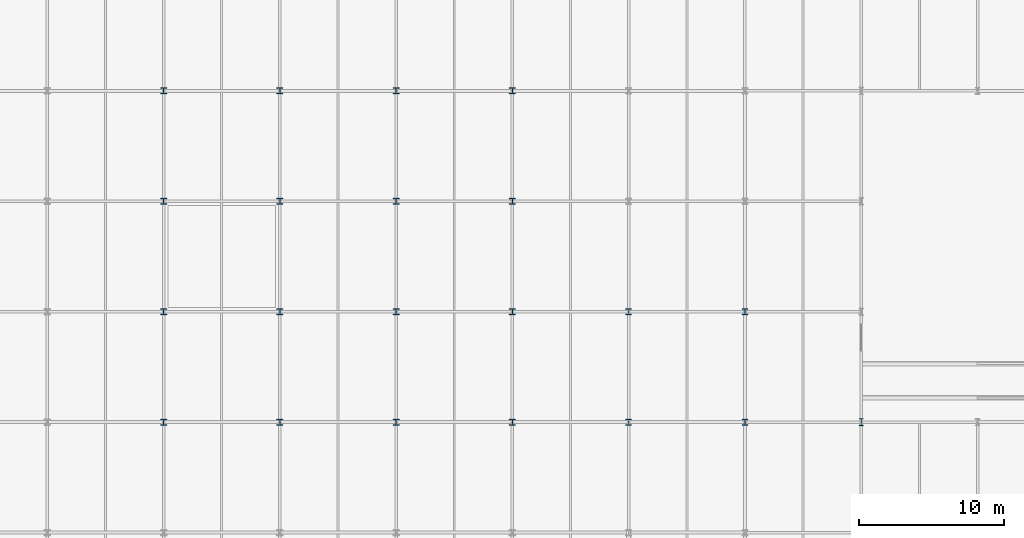
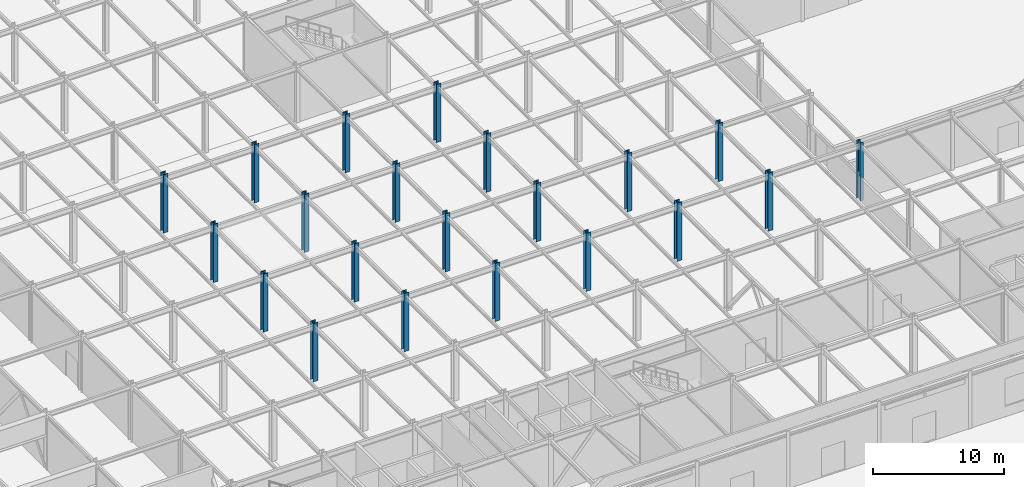
# One storey, part 7 of 89: 21 columns.
"""IFC4 building model written with IfcOpenShell, lengths in metres."""

from ifc_helpers import new_model, si_unit, direction, frame, origin, origin_2d, place, context, subcontext, project, spatial, i_section, extrude, material, material_profile, profile_set, type_object, element, save


model = new_model("IFC4")

# Units and contexts
model_context = context("Model", 3, precision=1e-05, world=origin(), true_north=direction((0.0, 1.0)))
body_context = subcontext(model_context, "Body", "Model", "MODEL_VIEW")
ifc_project = project(units=[si_unit("LENGTHUNIT", "METRE"), si_unit("AREAUNIT", "SQUARE_METRE"), si_unit("VOLUMEUNIT", "CUBIC_METRE"), si_unit("PLANEANGLEUNIT", "RADIAN"), si_unit("MASSUNIT", "GRAM", prefix="KILO")], contexts=[model_context])

# Site, building, storey
site_placement = place(None, origin())
site = spatial("IfcSite", under=ifc_project, at=site_placement, CompositionType="ELEMENT")
building_placement = place(site_placement, origin())
building = spatial("IfcBuilding", under=site, at=building_placement, Name="Shalkamar Park Central Library", CompositionType="ELEMENT")
storey_placement = place(building_placement, origin())
storey = spatial("IfcBuildingStorey", under=building, at=storey_placement, Name="L01", CompositionType="ELEMENT", Elevation=0.0)

# Columns
ifc_material = material(Name="Steel S355", Category="steel")
ifc_material_profile_1 = material_profile(ifc_material, i_section(OverallWidth=0.412109375, OverallDepth=0.43505859375, WebThickness=0.035888671875, FlangeThickness=0.057373046875, FilletRadius=0.014892578125, at=origin_2d()), Name="HD 400x463")
ifc_profile_set_1 = profile_set([ifc_material_profile_1], Name="Steel S355")
column_type_1 = type_object("IfcColumnType", Name="Column Steel HD400x463", PredefinedType="COLUMN", material=ifc_profile_set_1)
for number, where, z_axis, x_axis, name in (
    (1, (181.0, 270.39990234375, 0.0), (0.0, 0.0, 1.0), (1.0, 0.0, 0.0), "Column 09/E (L01)"),
    (2, (181.0, 278.0, 0.0), (0.0, 0.0, 1.0), (1.0, 0.0, 0.0), "Column 09/F (L01)"),
    (3, (181.0, 285.60009765625, 0.0), (0.0, 0.0, 1.0), (1.0, 0.0, 0.0), "Column 09/G (L01)"),
    (4, (181.0, 293.199951171875, 0.0), (0.0, 0.0, 1.0), (1.0, 0.0, 0.0), "Column 09/H (L01)"),
    (5, (189.0, 270.39990234375, 0.0), (0.0, 0.0, 1.0), (1.0, 0.0, 0.0), "Column 10/E (L01)"),
    (6, (189.0, 278.0, 0.0), (0.0, 0.0, 1.0), (1.0, 0.0, 0.0), "Column 10/F (L01)"),
    (7, (189.0, 285.60009765625, 0.0), (0.0, 0.0, 1.0), (1.0, 0.0, 0.0), "Column 10/G (L01)"),
    (8, (189.0, 293.199951171875, 0.0), (0.0, 0.0, 1.0), (1.0, 0.0, 0.0), "Column 10/H (L01)"),
    (9, (197.0, 270.39990234375, 0.0), (0.0, 0.0, 1.0), (1.0, 0.0, 0.0), "Column 11/E (L01)"),
    (10, (197.0, 278.0, 0.0), (0.0, 0.0, 1.0), (1.0, 0.0, 0.0), "Column 11/F (L01)"),
    (11, (197.0, 285.60009765625, 0.0), (0.0, 0.0, 1.0), (1.0, 0.0, 0.0), "Column 11/G (L01)"),
    (12, (197.0, 293.199951171875, 0.0), (0.0, 0.0, 1.0), (1.0, 0.0, 0.0), "Column 11/H (L01)"),
    (13, (205.0, 270.39990234375, 0.0), (0.0, 0.0, 1.0), (1.0, 0.0, 0.0), "Column 12/E (L01)"),
    (14, (205.0, 278.0, 0.0), (0.0, 0.0, 1.0), (1.0, 0.0, 0.0), "Column 12/F (L01)"),
    (15, (205.0, 285.60009765625, 0.0), (0.0, 0.0, 1.0), (1.0, 0.0, 0.0), "Column 12/G (L01)"),
    (16, (205.0, 293.199951171875, 0.0), (0.0, 0.0, 1.0), (1.0, 0.0, 0.0), "Column 12/H (L01)"),
):
    element("IfcColumn", number, at=place(storey_placement, frame(where, z_axis=z_axis, x_axis=x_axis)), inside=storey, type_object=column_type_1, Name=name, PredefinedType="COLUMN", context=body_context, shape_type="SweptSolid", body=[
        extrude(i_section(OverallWidth=0.412109375, OverallDepth=0.43505859375, WebThickness=0.035888671875, FlangeThickness=0.057373046875, FilletRadius=0.014892578125, at=origin_2d()), origin(), (0.0, 0.0, 1.0), 5.39990234375),
    ])
ifc_material_profile_2 = material_profile(ifc_material, i_section(OverallWidth=0.41796875, OverallDepth=0.455078125, WebThickness=0.0419921875, FlangeThickness=0.067626953125, FilletRadius=0.014892578125, at=origin_2d()), Name="HD 400x551")
ifc_profile_set_2 = profile_set([ifc_material_profile_2], Name="Steel S355")
column_type_2 = type_object("IfcColumnType", Name="Column Steel HD400x551", PredefinedType="COLUMN", material=ifc_profile_set_2)
for number, where, z_axis, x_axis, name in (
    (17, (213.0, 270.39990234375, 0.0), (0.0, 0.0, 1.0), (1.0, 0.0, 0.0), "Column 13/E (L01)"),
    (18, (213.0, 278.0, 0.0), (0.0, 0.0, 1.0), (1.0, 0.0, 0.0), "Column 13/F (L01)"),
    (19, (221.0, 270.39990234375, 0.0), (0.0, 0.0, 1.0), (1.0, 0.0, 0.0), "Column 14/E (L01)"),
    (20, (221.0, 278.0, 0.0), (0.0, 0.0, 1.0), (1.0, 0.0, 0.0), "Column 14/F (L01)"),
):
    element("IfcColumn", number, at=place(storey_placement, frame(where, z_axis=z_axis, x_axis=x_axis)), inside=storey, type_object=column_type_2, Name=name, PredefinedType="COLUMN", context=body_context, shape_type="SweptSolid", body=[
        extrude(i_section(OverallWidth=0.41796875, OverallDepth=0.455078125, WebThickness=0.0419921875, FlangeThickness=0.067626953125, FilletRadius=0.014892578125, at=origin_2d()), origin(), (0.0, 0.0, 1.0), 5.39990234375),
    ])
ifc_material_profile_3 = material_profile(ifc_material, i_section(OverallWidth=0.300048828125, OverallDepth=0.5, WebThickness=0.014404296875, FlangeThickness=0.028076171875, FilletRadius=0.027099609375, at=origin_2d()), Name="HEB 500")
ifc_profile_set_3 = profile_set([ifc_material_profile_3], Name="Steel S355")
column_type_3 = type_object("IfcColumnType", Name="Column Steel HEB500", PredefinedType="COLUMN", material=ifc_profile_set_3)
column_placement = place(storey_placement, frame((229.0, 270.39990234375, 0.0), z_axis=(0.0, 0.0, 1.0), x_axis=(1.0, 0.0, 0.0)))
element("IfcColumn", 21, at=column_placement, inside=storey, type_object=column_type_3, Name="Column 15/E (L01)", PredefinedType="COLUMN", context=body_context, shape_type="SweptSolid", body=[
    extrude(i_section(OverallWidth=0.300048828125, OverallDepth=0.5, WebThickness=0.014404296875, FlangeThickness=0.028076171875, FilletRadius=0.027099609375, at=origin_2d()), origin(), (0.0, 0.0, 1.0), 5.39990234375),
])

save(model, "model.ifc")
